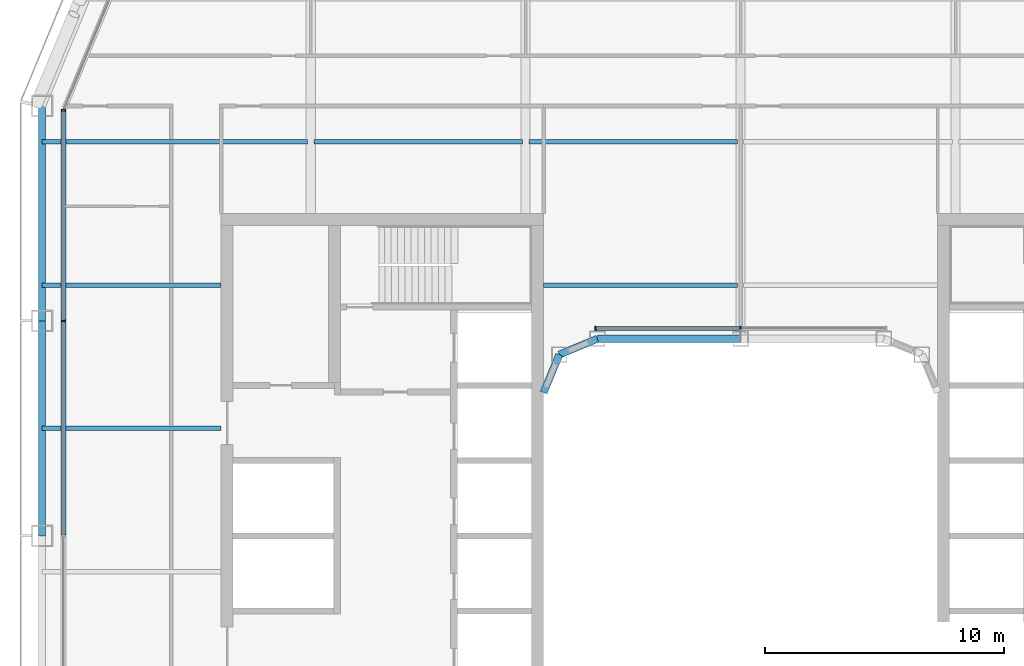
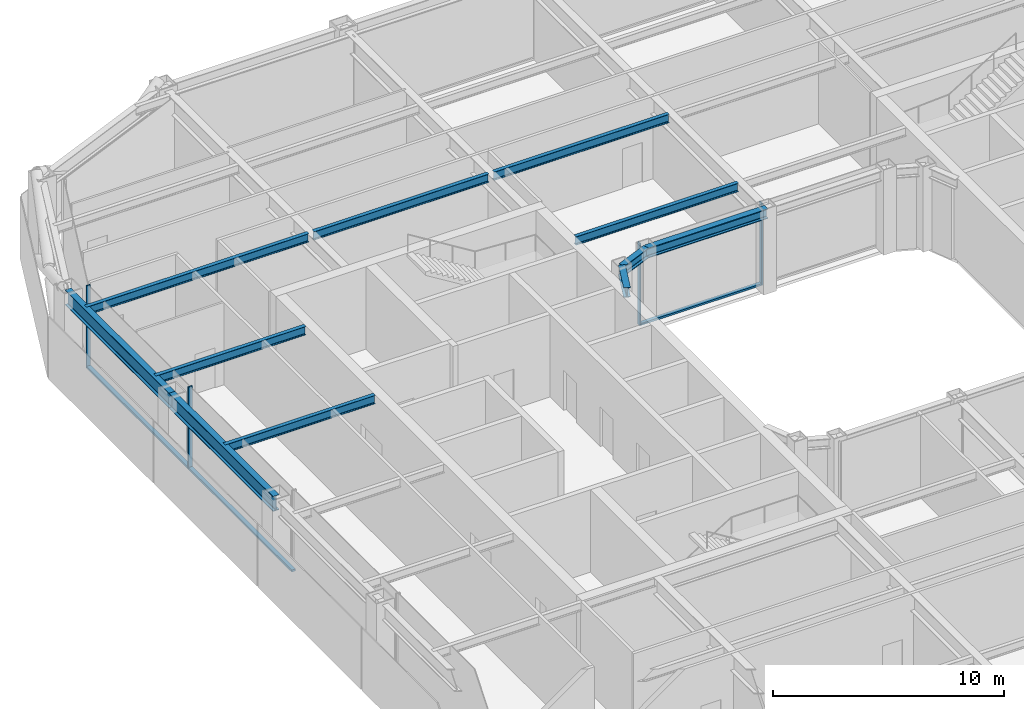
# One storey, part 6 of 23: 11 beams, 7 members, 2 elements without a shape of their own.
"""IFC4 building model written with IfcOpenShell, lengths in metres."""

from ifc_helpers import new_model, si_unit, direction, frame, origin, origin_2d, place, context, subcontext, project, spatial, rectangle, i_section, extrude, material, layer, layer_set, material_profile, profile_set, type_object, element, aggregate, save


model = new_model("IFC4")

# Units and contexts
model_context = context("Model", 3, precision=1e-05, world=origin(), true_north=direction((0.0, 1.0)))
body_context = subcontext(model_context, "Body", "Model", "MODEL_VIEW")
ifc_project = project(units=[si_unit("LENGTHUNIT", "METRE"), si_unit("AREAUNIT", "SQUARE_METRE"), si_unit("VOLUMEUNIT", "CUBIC_METRE"), si_unit("PLANEANGLEUNIT", "RADIAN"), si_unit("MASSUNIT", "GRAM", prefix="KILO")], contexts=[model_context])

# Site, building, storey
site_placement = place(None, origin())
site = spatial("IfcSite", under=ifc_project, at=site_placement, CompositionType="ELEMENT")
building_placement = place(site_placement, origin())
building = spatial("IfcBuilding", under=site, at=building_placement, Name="Siwar Civic Tower", CompositionType="ELEMENT")
storey_placement = place(building_placement, frame((0.0, 0.0, 167.699951171875)))
storey = spatial("IfcBuildingStorey", under=building, at=storey_placement, Name="L36", CompositionType="ELEMENT", Elevation=167.699951171875)

# Curtain wall, members
ifc_material_1 = material(Name="Aluminium and glass", Category="aluminium")
ifc_layer_1 = layer(ifc_material_1, 0.199951171875)
ifc_layer_set_1 = layer_set([ifc_layer_1], Name="Aluminium and glass")
curtain_wall_type_1 = type_object("IfcCurtainWallType", Name="ENV-CW-B", PredefinedType="NOTDEFINED", material=ifc_layer_set_1)
curtain_wall_1_placement = place(storey_placement, origin())
curtain_wall_1 = element("IfcCurtainWall", 1, at=curtain_wall_1_placement, inside=storey, type_object=curtain_wall_type_1, Name="Curtain wall B W", PredefinedType="NOTDEFINED")
ifc_material_2 = material(Name="Aluminium 6063-T6", Category="aluminium")
ifc_material_profile_1 = material_profile(ifc_material_2, rectangle(XDim=0.199951171875, YDim=0.06494140625, at=origin_2d()), Name="AL 200x65")
ifc_profile_set_1 = profile_set([ifc_material_profile_1], Name="Aluminium 6063-T6")
member_type_1 = type_object("IfcMemberType", Name="ENV-MULLION-B", PredefinedType="MULLION", material=ifc_profile_set_1)
member_1_placement = place(storey_placement, frame((-28.35009765625, 17.821044921875, 0.0), z_axis=(0.0, 0.0, 1.0), x_axis=(1.0, 0.0, 0.0)))
member_1 = element("IfcMember", 2, at=member_1_placement, type_object=member_type_1, Name="Mullion B W 1", PredefinedType="MULLION", context=body_context, shape_type="SweptSolid", body=[
    extrude(rectangle(XDim=0.199951171875, YDim=0.06494140625, at=origin_2d()), origin(), (0.0, 0.0, 1.0), 4.35009765625),
])
member_2_placement = place(storey_placement, frame((-28.35009765625, 9.0, 0.0), z_axis=(0.0, 0.0, 1.0), x_axis=(1.0, 0.0, 0.0)))
member_2 = element("IfcMember", 3, at=member_2_placement, type_object=member_type_1, Name="Mullion B W 2", PredefinedType="MULLION", context=body_context, shape_type="SweptSolid", body=[
    extrude(rectangle(XDim=0.199951171875, YDim=0.06494140625, at=origin_2d()), origin(), (0.0, 0.0, 1.0), 4.35009765625),
])

ifc_material_3 = material(Name="Aluminium and glass", Category="aluminium")
ifc_layer_2 = layer(ifc_material_3, 0.179931640625)
ifc_layer_set_2 = layer_set([ifc_layer_2], Name="Aluminium and glass")
curtain_wall_type_2 = type_object("IfcCurtainWallType", Name="ENV-CW-W", PredefinedType="NOTDEFINED", material=ifc_layer_set_2)
curtain_wall_2_placement = place(storey_placement, origin())
curtain_wall_2 = element("IfcCurtainWall", 4, at=curtain_wall_2_placement, inside=storey, type_object=curtain_wall_type_2, Name="Curtain wall W WN", PredefinedType="NOTDEFINED")
ifc_material_4 = material(Name="Aluminium 6063-T6", Category="aluminium")
ifc_material_profile_2 = material_profile(ifc_material_4, rectangle(XDim=0.179931640625, YDim=0.06005859375, at=origin_2d()), Name="AL 180x60")
ifc_profile_set_2 = profile_set([ifc_material_profile_2], Name="Aluminium 6063-T6")
member_type_2 = type_object("IfcMemberType", Name="ENV-MULLION-W", PredefinedType="MULLION", material=ifc_profile_set_2)
member_3_placement = place(storey_placement, frame((0.0, 8.68505859375, 0.0), z_axis=(0.0, 0.0, 1.0), x_axis=(0.0, -1.0, 0.0)))
member_3 = element("IfcMember", 5, at=member_3_placement, type_object=member_type_2, Name="Mullion W WN 2", PredefinedType="MULLION", context=body_context, shape_type="SweptSolid", body=[
    extrude(rectangle(XDim=0.179931640625, YDim=0.06005859375, at=origin_2d()), origin(), (0.0, 0.0, 1.0), 4.35009765625),
])
member_4_placement = place(storey_placement, frame((-6.08642578125, 8.68505859375, 0.0), z_axis=(0.0, 0.0, 1.0), x_axis=(0.0, -1.0, 0.0)))
member_4 = element("IfcMember", 6, at=member_4_placement, type_object=member_type_2, Name="Mullion W WN 3", PredefinedType="MULLION", context=body_context, shape_type="SweptSolid", body=[
    extrude(rectangle(XDim=0.179931640625, YDim=0.06005859375, at=origin_2d()), origin(), (0.0, 0.0, 1.0), 4.35009765625),
])

# Member
ifc_material_5 = material(Name="Aluminium 6063-T6", Category="aluminium")
ifc_material_profile_3 = material_profile(ifc_material_5, rectangle(XDim=0.199951171875, YDim=0.110107421875, at=origin_2d()), Name="AL 200x110")
ifc_profile_set_3 = profile_set([ifc_material_profile_3], Name="Aluminium 6063-T6")
member_type_3 = type_object("IfcMemberType", Name="ENV-TRANSOM-B", PredefinedType="USERDEFINED", material=ifc_profile_set_3)
member_5_placement = place(storey_placement, frame((-28.35009765625, 17.78857421875, 0.054931640625), z_axis=(0.0, -1.0, 0.0), x_axis=(1.0, 0.0, 0.0)))
member_5 = element("IfcMember", 7, at=member_5_placement, type_object=member_type_3, Name="Transom B W 1", ObjectType="TRANSOM", PredefinedType="USERDEFINED", context=body_context, shape_type="SweptSolid", body=[
    extrude(rectangle(XDim=0.199951171875, YDim=0.110107421875, at=origin_2d()), origin(), (0.0, 0.0, 1.0), 8.756103515625),
])

member_6_placement = place(storey_placement, frame((-28.35009765625, 8.967529296875, 0.054931640625), z_axis=(0.0, -1.0, 0.0), x_axis=(1.0, 0.0, 0.0)))
member_6 = element("IfcMember", 8, at=member_6_placement, type_object=member_type_3, Name="Transom B W 2", ObjectType="TRANSOM", PredefinedType="USERDEFINED", context=body_context, shape_type="SweptSolid", body=[
    extrude(rectangle(XDim=0.199951171875, YDim=0.110107421875, at=origin_2d()), origin(), (0.0, 0.0, 1.0), 8.93505859375),
])

aggregate(curtain_wall_1, [member_1, member_2, member_5, member_6])

ifc_material_6 = material(Name="Aluminium 6063-T6", Category="aluminium")
ifc_material_profile_4 = material_profile(ifc_material_6, rectangle(XDim=0.179931640625, YDim=0.10009765625, at=origin_2d()), Name="AL 180x100")
ifc_profile_set_4 = profile_set([ifc_material_profile_4], Name="Aluminium 6063-T6")
member_type_4 = type_object("IfcMemberType", Name="ENV-TRANSOM-W", PredefinedType="USERDEFINED", material=ifc_profile_set_4)
member_7_placement = place(storey_placement, frame((-0.030029296875, 8.68505859375, 0.050048828125), z_axis=(-1.0, 0.0, 0.0), x_axis=(0.0, -1.0, 0.0)))
member_7 = element("IfcMember", 9, at=member_7_placement, type_object=member_type_4, Name="Transom W WN 2", ObjectType="TRANSOM", PredefinedType="USERDEFINED", context=body_context, shape_type="SweptSolid", body=[
    extrude(rectangle(XDim=0.179931640625, YDim=0.10009765625, at=origin_2d()), origin(), (0.0, 0.0, 1.0), 6.026611328125),
])

aggregate(curtain_wall_2, [member_3, member_4, member_7])

# Beams
ifc_material_7 = material(Name="Steel S355", Category="steel")
ifc_material_profile_5 = material_profile(ifc_material_7, i_section(OverallWidth=0.18994140625, OverallDepth=0.449951171875, WebThickness=0.009521484375, FlangeThickness=0.0146484375, FilletRadius=0.02099609375, at=origin_2d()), Name="IPE450")
ifc_profile_set_5 = profile_set([ifc_material_profile_5], Name="Steel S355")
beam_type_1 = type_object("IfcBeamType", Name="STR-FB-IPE450", PredefinedType="JOIST", material=ifc_profile_set_5)
for number, where, z_axis, x_axis, name in (
    (10, (-29.25, 4.5, 4.125), (1.0, 0.0, 0.0), (0.0, 1.0, 0.0), "L36/bm/F025"),
    (11, (-29.25, 10.5, 4.125), (1.0, 0.0, 0.0), (0.0, 1.0, 0.0), "L36/bm/F027"),
):
    element("IfcBeam", number, at=place(storey_placement, frame(where, z_axis=z_axis, x_axis=x_axis)), inside=storey, type_object=beam_type_1, Name=name, PredefinedType="JOIST", context=body_context, shape_type="SweptSolid", body=[
        extrude(i_section(OverallWidth=0.18994140625, OverallDepth=0.449951171875, WebThickness=0.009521484375, FlangeThickness=0.0146484375, FilletRadius=0.02099609375, at=origin_2d()), origin(), (0.0, 0.0, 1.0), 7.5),
    ])
beam_1_placement = place(storey_placement, frame((-8.25, 10.5, 4.125), z_axis=(1.0, 0.0, 0.0), x_axis=(0.0, 1.0, 0.0)))
element("IfcBeam", 12, at=beam_1_placement, inside=storey, type_object=beam_type_1, Name="L36/bm/F028", PredefinedType="JOIST", context=body_context, shape_type="SweptSolid", body=[
    extrude(i_section(OverallWidth=0.18994140625, OverallDepth=0.449951171875, WebThickness=0.009521484375, FlangeThickness=0.0146484375, FilletRadius=0.02099609375, at=origin_2d()), origin(), (0.0, 0.0, 1.0), 8.1201171875),
])
beam_2_placement = place(storey_placement, frame((-29.25, 16.5, 4.125), z_axis=(1.0, 0.0, 0.0), x_axis=(0.0, 1.0, 0.0)))
element("IfcBeam", 13, at=beam_2_placement, inside=storey, type_object=beam_type_1, Name="L36/bm/F031", PredefinedType="JOIST", context=body_context, shape_type="SweptSolid", body=[
    extrude(i_section(OverallWidth=0.18994140625, OverallDepth=0.449951171875, WebThickness=0.009521484375, FlangeThickness=0.0146484375, FilletRadius=0.02099609375, at=origin_2d()), origin(), (0.0, 0.0, 1.0), 11.1201171875),
])
for number, where, z_axis, x_axis, name in (
    (14, (-17.8701171875, 16.5, 4.125), (1.0, 0.0, 0.0), (0.0, 1.0, 0.0), "L36/bm/F032"),
    (15, (-8.8701171875, 16.5, 4.125), (1.0, 0.0, 0.0), (0.0, 1.0, 0.0), "L36/bm/F033"),
):
    element("IfcBeam", number, at=place(storey_placement, frame(where, z_axis=z_axis, x_axis=x_axis)), inside=storey, type_object=beam_type_1, Name=name, PredefinedType="JOIST", context=body_context, shape_type="SweptSolid", body=[
        extrude(i_section(OverallWidth=0.18994140625, OverallDepth=0.449951171875, WebThickness=0.009521484375, FlangeThickness=0.0146484375, FilletRadius=0.02099609375, at=origin_2d()), origin(), (0.0, 0.0, 1.0), 8.740234375),
    ])
ifc_material_8 = material(Name="Steel S355", Category="steel")
ifc_material_profile_6 = material_profile(ifc_material_8, i_section(OverallWidth=0.305908203125, OverallDepth=0.52392578125, WebThickness=0.02099609375, FlangeThickness=0.0400390625, FilletRadius=0.027099609375, at=origin_2d()), Name="HEM500")
ifc_profile_set_6 = profile_set([ifc_material_profile_6], Name="Steel S355")
beam_type_2 = type_object("IfcBeamType", Name="STR-RB-HEM500", PredefinedType="BEAM", material=ifc_profile_set_6)
beam_3_placement = place(storey_placement, frame((-7.591064453125, 7.591064453125, 4.088134765625), z_axis=(0.923901072997, 0.382631424892, 0.0), x_axis=(-0.382631424892, 0.923901072997, 0.0)))
element("IfcBeam", 16, at=beam_3_placement, inside=storey, type_object=beam_type_2, Name="L36/bm/RN0", PredefinedType="BEAM", context=body_context, shape_type="SweptSolid", body=[
    extrude(i_section(OverallWidth=0.305908203125, OverallDepth=0.52392578125, WebThickness=0.02099609375, FlangeThickness=0.0400390625, FilletRadius=0.027099609375, at=origin_2d()), origin(), (0.0, 0.0, 1.0), 1.72216796875),
])
beam_4_placement = place(storey_placement, frame((-6.0, 8.25, 4.088134765625), z_axis=(1.0, 0.0, 0.0), x_axis=(0.0, 1.0, 0.0)))
element("IfcBeam", 17, at=beam_4_placement, inside=storey, type_object=beam_type_2, Name="L36/bm/RN1", PredefinedType="BEAM", context=body_context, shape_type="SweptSolid", body=[
    extrude(i_section(OverallWidth=0.305908203125, OverallDepth=0.52392578125, WebThickness=0.02099609375, FlangeThickness=0.0400390625, FilletRadius=0.027099609375, at=origin_2d()), origin(), (0.0, 0.0, 1.0), 6.0),
])
beam_5_placement = place(storey_placement, frame((-7.591064453125, 7.591064453125, 4.088134765625), z_axis=(-0.382631424892, -0.923901072997, 0.0), x_axis=(0.923901072997, -0.382631424892, 0.0)))
element("IfcBeam", 18, at=beam_5_placement, inside=storey, type_object=beam_type_2, Name="L36/bm/RNEW", PredefinedType="BEAM", context=body_context, shape_type="SweptSolid", body=[
    extrude(i_section(OverallWidth=0.305908203125, OverallDepth=0.52392578125, WebThickness=0.02099609375, FlangeThickness=0.0400390625, FilletRadius=0.027099609375, at=origin_2d()), origin(), (0.0, 0.0, 1.0), 1.72216796875),
])
ifc_material_9 = material(Name="Steel S355", Category="steel")
ifc_material_profile_7 = material_profile(ifc_material_9, i_section(OverallWidth=0.300048828125, OverallDepth=0.800048828125, WebThickness=0.017578125, FlangeThickness=0.032958984375, FilletRadius=0.030029296875, at=origin_2d()), Name="HEB800")
ifc_profile_set_7 = profile_set([ifc_material_profile_7], Name="Steel S355")
beam_type_3 = type_object("IfcBeamType", Name="STR-SB-HEB800", PredefinedType="BEAM", material=ifc_profile_set_7)
for number, where, z_axis, x_axis, name in (
    (19, (-29.25, 18.0, 3.949951171875), (0.0, -1.0, 0.0), (1.0, 0.0, 0.0), "L36/bm/SW-0"),
    (20, (-29.25, 9.0, 3.949951171875), (0.0, -1.0, 0.0), (1.0, 0.0, 0.0), "L36/bm/SW-1"),
):
    element("IfcBeam", number, at=place(storey_placement, frame(where, z_axis=z_axis, x_axis=x_axis)), inside=storey, type_object=beam_type_3, Name=name, PredefinedType="BEAM", context=body_context, shape_type="SweptSolid", body=[
        extrude(i_section(OverallWidth=0.300048828125, OverallDepth=0.800048828125, WebThickness=0.017578125, FlangeThickness=0.032958984375, FilletRadius=0.030029296875, at=origin_2d()), origin(), (0.0, 0.0, 1.0), 9.0),
    ])

save(model, "model.ifc")
